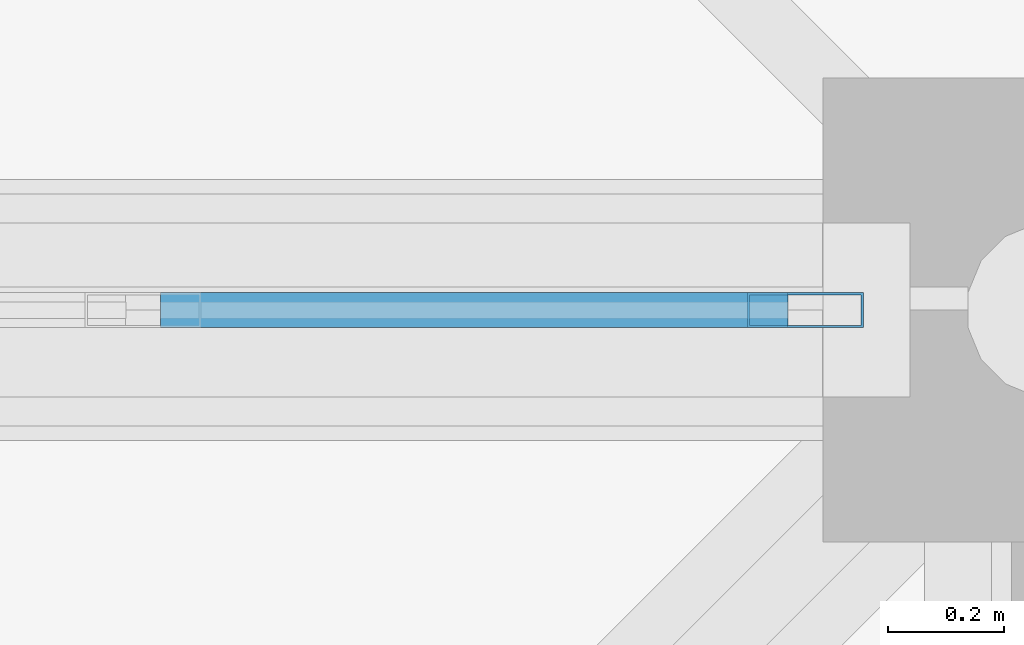
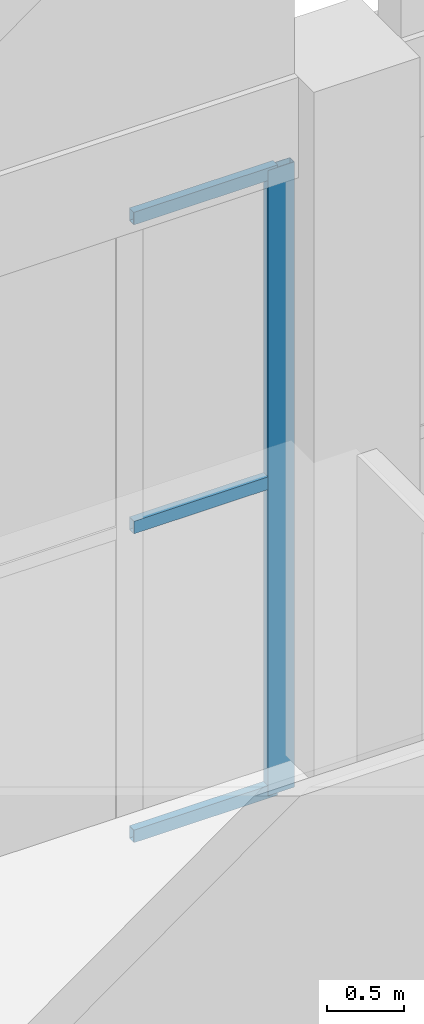
# One storey, part 113 of 437: 4 members, 1 element without a shape of its own.
"""IFC4 building model written with IfcOpenShell, lengths in metres."""

from ifc_helpers import new_model, si_unit, direction, frame, origin, origin_2d, place, context, subcontext, project, spatial, hollow_rectangle, extrude, material, layer, layer_set, material_profile, profile_set, type_object, element, aggregate, save


model = new_model("IFC4")

# Units and contexts
model_context = context("Model", 3, precision=1e-05, world=origin(), true_north=direction((0.0, 1.0)))
body_context = subcontext(model_context, "Body", "Model", "MODEL_VIEW")
ifc_project = project(units=[si_unit("LENGTHUNIT", "METRE"), si_unit("AREAUNIT", "SQUARE_METRE"), si_unit("VOLUMEUNIT", "CUBIC_METRE"), si_unit("PLANEANGLEUNIT", "RADIAN"), si_unit("MASSUNIT", "GRAM", prefix="KILO")], contexts=[model_context])

# Site, building, storey
site_placement = place(None, origin())
site = spatial("IfcSite", under=ifc_project, at=site_placement, CompositionType="ELEMENT")
building_placement = place(site_placement, origin())
building = spatial("IfcBuilding", under=site, at=building_placement, Name="Opaline Strait Convention Centre", CompositionType="ELEMENT")
storey_placement = place(building_placement, frame((0.0, 0.0, 11.5)))
storey = spatial("IfcBuildingStorey", under=building, at=storey_placement, Name="L02", CompositionType="ELEMENT", Elevation=11.5)

# Curtain wall, members
ifc_material_1 = material(Name="Aluminium framed double glazing", Category="aluminium")
ifc_layer = layer(ifc_material_1, 0.199951171875)
ifc_layer_set = layer_set([ifc_layer], Name="Aluminium framed double glazing")
curtain_wall_type = type_object("IfcCurtainWallType", Name="Curtain wall 1250", PredefinedType="NOTDEFINED", material=ifc_layer_set)
curtain_wall_placement = place(storey_placement, origin())
curtain_wall = element("IfcCurtainWall", 1, at=curtain_wall_placement, inside=storey, type_object=curtain_wall_type, Name="Curtain wall N-18-L02", PredefinedType="NOTDEFINED")
ifc_material_2 = material(Name="Aluminium alloy 6063", Category="aluminium")
ifc_material_profile_1 = material_profile(ifc_material_2, hollow_rectangle(XDim=0.06005859375, YDim=0.199951171875, WallThickness=0.00390625, at=origin_2d()), Name="MULLION 60x200x4")
ifc_profile_set_1 = profile_set([ifc_material_profile_1], Name="Aluminium alloy 6063")
member_type_1 = type_object("IfcMemberType", Name="Curtain wall mullion 60 x 200", PredefinedType="MULLION", material=ifc_profile_set_1)
member_1_placement = place(storey_placement, frame((26.570068359375, 180.0, -0.280029296875), z_axis=(0.0, 0.0, 1.0), x_axis=(0.0, 1.0, 0.0)))
member_1 = element("IfcMember", 2, at=member_1_placement, type_object=member_type_1, Name="PCW mullion 8", PredefinedType="MULLION", context=body_context, shape_type="SweptSolid", body=[
    extrude(hollow_rectangle(XDim=0.06005859375, YDim=0.199951171875, WallThickness=0.00390625, at=origin_2d()), origin(), (0.0, 0.0, 1.0), 4.97998046875),
])
ifc_material_profile_2 = material_profile(ifc_material_2, hollow_rectangle(XDim=0.06005859375, YDim=0.10009765625, WallThickness=0.0029296875, at=origin_2d()), Name="TRANSOM 60x100x3")
ifc_profile_set_2 = profile_set([ifc_material_profile_2], Name="Aluminium alloy 6063")
member_type_2 = type_object("IfcMemberType", Name="Curtain wall transom 60 x 100", PredefinedType="USERDEFINED", material=ifc_profile_set_2)
member_2_placement = place(storey_placement, frame((25.458740234375, 180.0, -0.25), z_axis=(1.0, 0.0, 0.0), x_axis=(0.0, 1.0, 0.0)))
member_2 = element("IfcMember", 3, at=member_2_placement, type_object=member_type_2, Name="PCW transom 7.1", ObjectType="TRANSOM", PredefinedType="USERDEFINED", context=body_context, shape_type="SweptSolid", body=[
    extrude(hollow_rectangle(XDim=0.06005859375, YDim=0.10009765625, WallThickness=0.0029296875, at=origin_2d()), origin(), (0.0, 0.0, 1.0), 1.081298828125),
])
member_3_placement = place(storey_placement, frame((25.458740234375, 180.0, 2.2099609375), z_axis=(1.0, 0.0, 0.0), x_axis=(0.0, 1.0, 0.0)))
member_3 = element("IfcMember", 4, at=member_3_placement, type_object=member_type_2, Name="PCW transom 7.2", ObjectType="TRANSOM", PredefinedType="USERDEFINED", context=body_context, shape_type="SweptSolid", body=[
    extrude(hollow_rectangle(XDim=0.06005859375, YDim=0.10009765625, WallThickness=0.0029296875, at=origin_2d()), origin(), (0.0, 0.0, 1.0), 1.081298828125),
])
member_4_placement = place(storey_placement, frame((25.458740234375, 180.0, 4.669921875), z_axis=(1.0, 0.0, 0.0), x_axis=(0.0, 1.0, 0.0)))
member_4 = element("IfcMember", 5, at=member_4_placement, type_object=member_type_2, Name="PCW transom 7.3", ObjectType="TRANSOM", PredefinedType="USERDEFINED", context=body_context, shape_type="SweptSolid", body=[
    extrude(hollow_rectangle(XDim=0.06005859375, YDim=0.10009765625, WallThickness=0.0029296875, at=origin_2d()), origin(), (0.0, 0.0, 1.0), 1.081298828125),
])
aggregate(curtain_wall, [member_1, member_2, member_3, member_4])

save(model, "model.ifc")
